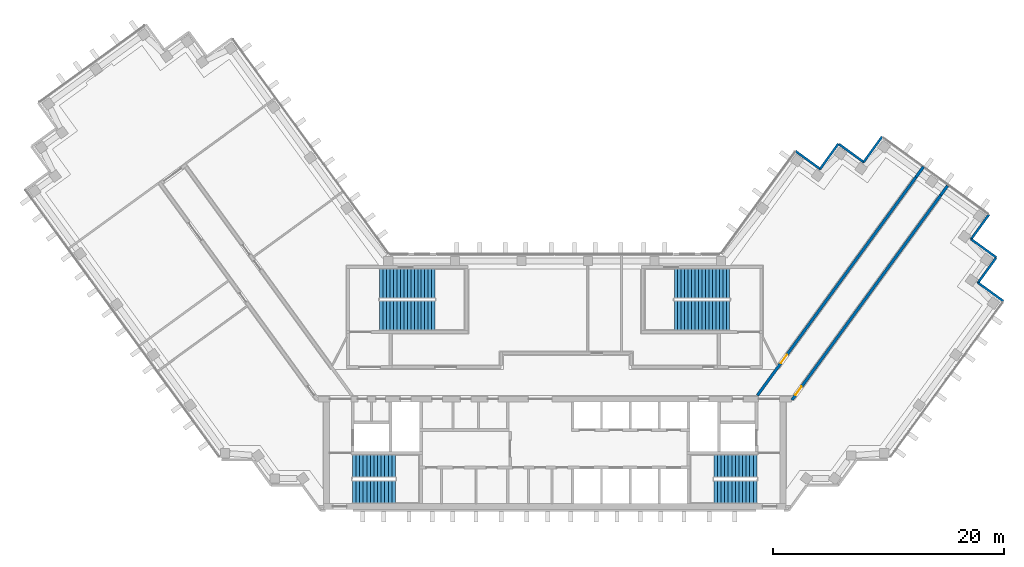
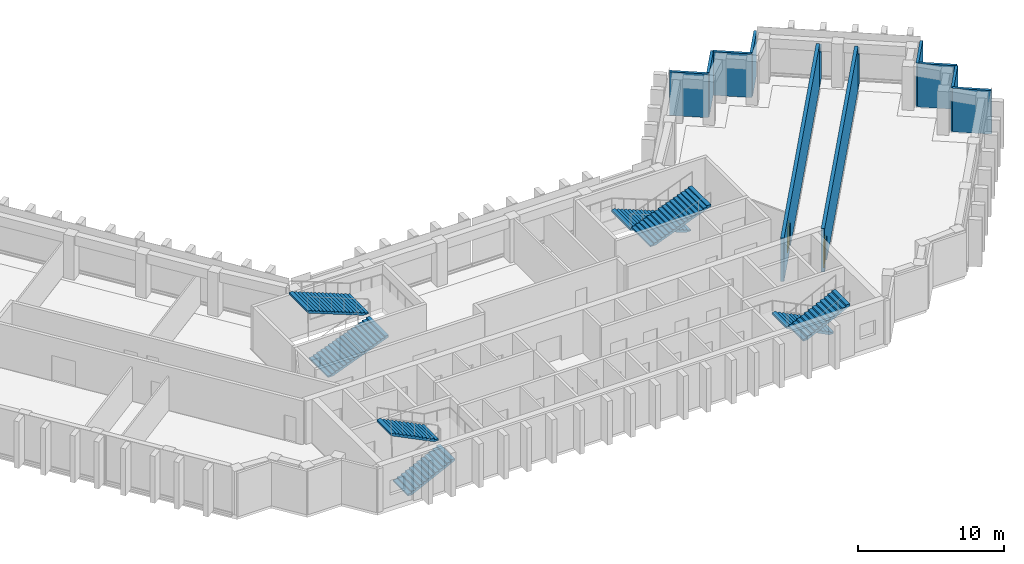
# One storey, part 7 of 9: 12 walls, 8 stair flights, 2 doors, 2 openings, 4 elements without a shape of their own.
"""IFC4 building model written with IfcOpenShell, lengths in metres."""

from ifc_helpers import new_model, si_unit, direction, frame, frame_2d, origin, place, context, subcontext, project, spatial, polyline, rectangle, outline, extrude, material, layer, layer_set, type_object, element, fill, aggregate, save


model = new_model("IFC4")

# Units and contexts
model_context = context("Model", 3, precision=1e-05, world=origin(), true_north=direction((0.0, 1.0)))
body_context = subcontext(model_context, "Body", "Model", "MODEL_VIEW")
ifc_project = project(units=[si_unit("LENGTHUNIT", "METRE"), si_unit("AREAUNIT", "SQUARE_METRE"), si_unit("VOLUMEUNIT", "CUBIC_METRE"), si_unit("PLANEANGLEUNIT", "RADIAN"), si_unit("MASSUNIT", "GRAM", prefix="KILO")], contexts=[model_context])

# Site, building, storey
site_placement = place(None, origin())
site = spatial("IfcSite", under=ifc_project, at=site_placement, CompositionType="ELEMENT")
building_placement = place(site_placement, origin())
building = spatial("IfcBuilding", under=site, at=building_placement, Name="Quipu Civic Tower", CompositionType="ELEMENT")
storey_placement = place(building_placement, frame((0.0, 0.0, 218.0)))
storey = spatial("IfcBuildingStorey", under=building, at=storey_placement, Name="L51", CompositionType="ELEMENT", Elevation=218.0)

# Wall, opening, door
ifc_material_1 = material(Name="Concrete C50/60", Category="concrete")
ifc_layer = layer(ifc_material_1, 0.25)
ifc_layer_set = layer_set([ifc_layer], Name="Concrete C50/60")
wall_type_1 = type_object("IfcWallType", Name="Corridor wall 250 concrete", PredefinedType="SOLIDWALL", material=ifc_layer_set)
wall_1_placement = place(storey_placement, frame((17.544921875, -1.124755859375, 0.0), z_axis=(0.0, 0.0, 1.0), x_axis=(0.587787966774, 0.809015022181, 0.0)))
wall_1 = element("IfcWall", 1, at=wall_1_placement, inside=storey, type_object=wall_type_1, Name="Corridor wall C02", PredefinedType="SOLIDWALL", context=body_context, shape_type="SweptSolid", body=[
    extrude(rectangle(XDim=23.344970703125, YDim=0.25, at=frame_2d((11.67236328125, 0.0))), origin(), (0.0, 0.0, 1.0), 3.64990234375),
])
opening_1_placement = place(wall_1_placement, frame((3.44140625, 0.0, 0.0)))
opening_1 = element("IfcOpeningElement", 2, at=opening_1_placement, cuts=wall_1, Name="Opening D001", PredefinedType="OPENING", context=body_context, shape_type="SweptSolid", body=[
    extrude(rectangle(XDim=0.89990234375, YDim=2.10009765625, at=frame_2d((0.449951171875, 1.050048828125))), frame((0.0, 0.135009765625, 0.0), z_axis=(0.0, -1.0, 0.0), x_axis=(1.0, 0.0, 0.0)), (0.0, 0.0, 1.0), 0.27001953125),
])
ifc_material_2 = material(Name="Fire rated timber door set with metal frame", Category="wood")
door_type = type_object("IfcDoorType", Name="Single door 900 x 2100 FD60", OperationType="NOTDEFINED", PredefinedType="DOOR", material=ifc_material_2)
door_1_placement = place(opening_1_placement, origin())
door_1 = element("IfcDoor", 3, at=door_1_placement, inside=storey, type_object=door_type, Name="Door D001", OperationType="SINGLE_SWING_LEFT", OverallHeight=2.10009765625, OverallWidth=0.89990234375, PredefinedType="DOOR", context=body_context, shape_type="SweptSolid", body=[
    extrude(rectangle(XDim=0.89990234375, YDim=2.10009765625, at=frame_2d((0.449951171875, 1.050048828125))), frame((0.0, 0.02490234375, 0.0), z_axis=(0.0, -1.0, 0.0), x_axis=(1.0, 0.0, 0.0)), (0.0, 0.0, 1.0), 0.050048828125),
])
fill(opening_1, door_1)

wall_2_placement = place(storey_placement, frame((33.41015625, 16.203125, 0.0), z_axis=(0.0, 0.0, 1.0), x_axis=(-0.587786711753, -0.809015934013, 0.0)))
wall_2 = element("IfcWall", 4, at=wall_2_placement, inside=storey, type_object=wall_type_1, Name="Corridor wall C03", PredefinedType="SOLIDWALL", context=body_context, shape_type="SweptSolid", body=[
    extrude(rectangle(XDim=21.911376953125, YDim=0.25, at=frame_2d((10.95556640625, 0.0))), origin(), (0.0, 0.0, 1.0), 3.64990234375),
])
opening_2_placement = place(wall_2_placement, frame((20.478515625, 0.0, 0.0)))
opening_2 = element("IfcOpeningElement", 5, at=opening_2_placement, cuts=wall_2, Name="Opening D002", PredefinedType="OPENING", context=body_context, shape_type="SweptSolid", body=[
    extrude(rectangle(XDim=0.89990234375, YDim=2.10009765625, at=frame_2d((0.449951171875, 1.050048828125))), frame((0.0, 0.135009765625, 0.0), z_axis=(0.0, -1.0, 0.0), x_axis=(1.0, 0.0, 0.0)), (0.0, 0.0, 1.0), 0.27001953125),
])
door_2_placement = place(opening_2_placement, origin())
door_2 = element("IfcDoor", 6, at=door_2_placement, inside=storey, type_object=door_type, Name="Door D002", OperationType="SINGLE_SWING_RIGHT", OverallHeight=2.10009765625, OverallWidth=0.89990234375, PredefinedType="DOOR", context=body_context, shape_type="SweptSolid", body=[
    extrude(rectangle(XDim=0.89990234375, YDim=2.10009765625, at=frame_2d((0.449951171875, 1.050048828125))), frame((0.0, 0.02490234375, 0.0), z_axis=(0.0, -1.0, 0.0), x_axis=(1.0, 0.0, 0.0)), (0.0, 0.0, 1.0), 0.050048828125),
])
fill(opening_2, door_2)

# Walls
wall_3_placement = place(storey_placement, frame((31.266845703125, 17.76171875, 0.0), z_axis=(0.0, 0.0, 1.0), x_axis=(0.587778942742, 0.809021578494, 0.0)))
element("IfcWall", 7, at=wall_3_placement, inside=storey, type_object=wall_type_1, Name="Corridor wall C02", PredefinedType="SOLIDWALL", context=body_context, shape_type="SweptSolid", body=[
    extrude(rectangle(XDim=1.109130859375, YDim=0.25, at=frame_2d((0.5546875, 0.0))), origin(), (0.0, 0.0, 1.0), 2.85009765625),
])
wall_4_placement = place(storey_placement, frame((33.41015625, 16.203125, 0.0), z_axis=(0.0, 0.0, 1.0), x_axis=(0.587696850957, 0.809081214326, 0.0)))
element("IfcWall", 8, at=wall_4_placement, inside=storey, type_object=wall_type_1, Name="Corridor wall C03", PredefinedType="SOLIDWALL", context=body_context, shape_type="SweptSolid", body=[
    extrude(rectangle(XDim=1.009033203125, YDim=0.25, at=frame_2d((0.50439453125, 0.0))), origin(), (0.0, 0.0, 1.0), 2.85009765625),
])
ifc_material_3 = material(Name="Precast concrete C40/50", Category="concrete")
wall_type_2 = type_object("IfcWallType", Name="Precast cladding wall", PredefinedType="SOLIDWALL", material=ifc_material_3)
for number, where, z_axis, x_axis, name in (
    (9, (38.82861328125, 7.031005859375, 0.0), (0.0, 0.0, 1.0), (-0.808990163075, 0.587822180636, 0.0), "Precast cladding wall L51 P05"),
    (10, (36.60205078125, 8.580322265625, 0.0), (0.0, 0.0, 1.0), (0.587822180636, 0.808990163075, 0.0), "Precast cladding wall L51 P06"),
    (11, (38.231201171875, 10.80224609375, 0.0), (0.0, 0.0, 1.0), (-0.808958916286, 0.58786518162, 0.0), "Precast cladding wall L51 P07"),
    (12, (36.0048828125, 12.3515625, 0.0), (0.0, 0.0, 1.0), (0.587762999008, 0.809033161865, 0.0), "Precast cladding wall L51 20"),
    (13, (28.333984375, 21.26220703125, 0.0), (0.0, 0.0, 1.0), (-0.587762999008, -0.809033161865, 0.0), "Precast cladding wall L51 22"),
):
    element("IfcWall", number, at=place(storey_placement, frame(where, z_axis=z_axis, x_axis=x_axis)), inside=storey, type_object=wall_type_2, Name=name, PredefinedType="SOLIDWALL", context=body_context, shape_type="SweptSolid", body=[
        extrude(rectangle(XDim=2.699951171875, YDim=0.199951171875, at=frame_2d((1.35009765625, 0.0))), origin(), (0.0, 0.0, 1.0), 3.64990234375),
    ])
wall_5_placement = place(storey_placement, frame((26.78466796875, 19.03564453125, 0.0), z_axis=(0.0, 0.0, 1.0), x_axis=(-0.809064397168, 0.587720002413, 0.0)))
element("IfcWall", 14, at=wall_5_placement, inside=storey, type_object=wall_type_2, Name="Precast cladding wall L51 23", PredefinedType="SOLIDWALL", context=body_context, shape_type="SweptSolid", body=[
    extrude(rectangle(XDim=2.7001953125, YDim=0.199951171875, at=frame_2d((1.35009765625, 0.0))), origin(), (0.0, 0.0, 1.0), 3.64990234375),
])
for number, where, z_axis, x_axis, name in (
    (15, (24.562744140625, 20.664794921875, 0.0), (0.0, 0.0, 1.0), (-0.587822180636, -0.808990163075, 0.0), "Precast cladding wall L51 24"),
    (16, (23.01318359375, 18.438232421875, 0.0), (0.0, 0.0, 1.0), (-0.808990163075, 0.587822180636, 0.0), "Precast cladding wall L51 25"),
):
    element("IfcWall", number, at=place(storey_placement, frame(where, z_axis=z_axis, x_axis=x_axis)), inside=storey, type_object=wall_type_2, Name=name, PredefinedType="SOLIDWALL", context=body_context, shape_type="SweptSolid", body=[
        extrude(rectangle(XDim=2.699951171875, YDim=0.199951171875, at=frame_2d((1.35009765625, 0.0))), origin(), (0.0, 0.0, 1.0), 3.64990234375),
    ])

# Stair, stair flights
ifc_material_4 = material(Name="Concrete C40/50", Category="concrete")
stair_type_1 = type_object("IfcStairType", Name="Half turn stair 2000", PredefinedType="HALF_TURN_STAIR", material=ifc_material_4)
stair_1_placement = place(storey_placement, origin())
stair_1 = element("IfcStair", 17, at=stair_1_placement, inside=storey, type_object=stair_type_1, Name="Exit stair 1", PredefinedType="HALF_TURN_STAIR")
ifc_material_5 = material(Name="Concrete C40/50", Category="concrete")
stair_flight_type_1 = type_object("IfcStairFlightType", Name="Stair flight 2000", PredefinedType="STRAIGHT", material=ifc_material_5)
stair_flight_1_placement = place(storey_placement, frame((-17.5, -9.5, 0.0), z_axis=(0.0, 0.0, 1.0), x_axis=(1.0, 0.0, 0.0)))
stair_flight_1 = element("IfcStairFlight", 18, at=stair_flight_1_placement, type_object=stair_flight_type_1, Name="ST-1 flight 1", NumberOfRisers=13, NumberOfTreads=12, PredefinedType="STRAIGHT", RiserHeight=0.153846154, TreadLength=0.31, context=body_context, shape_type="SweptSolid", body=[
    extrude(outline(polyline([(0.0, 0.0), (0.0, 0.15380859375), (0.31005859375, 0.15380859375), (0.31005859375, 0.3076171875), (0.6201171875, 0.3076171875), (0.6201171875, 0.46142578125), (0.929931640625, 0.46142578125), (0.929931640625, 0.615478515625), (1.239990234375, 0.615478515625), (1.239990234375, 0.769287109375), (1.550048828125, 0.769287109375), (1.550048828125, 0.923095703125), (1.860107421875, 0.923095703125), (1.860107421875, 1.076904296875), (2.169921875, 1.076904296875), (2.169921875, 1.230712890625), (2.47998046875, 1.230712890625), (2.47998046875, 1.384521484375), (2.7900390625, 1.384521484375), (2.7900390625, 1.53857421875), (3.10009765625, 1.53857421875), (3.10009765625, 1.6923828125), (3.409912109375, 1.6923828125), (3.409912109375, 1.84619140625), (3.719970703125, 1.84619140625), (3.719970703125, 2.0), (3.719970703125, 1.6787109375), (0.337158203125, 0.0), (0.0, 0.0)])), frame((0.0, 1.0, 0.0), z_axis=(0.0, -1.0, 0.0), x_axis=(1.0, 0.0, 0.0)), (0.0, 0.0, 1.0), 2.0),
])
stair_flight_2_placement = place(storey_placement, frame((-13.780029296875, -7.25, 2.0), z_axis=(0.0, 0.0, 1.0), x_axis=(-1.0, 0.0, 0.0)))
stair_flight_2 = element("IfcStairFlight", 19, at=stair_flight_2_placement, type_object=stair_flight_type_1, Name="ST-1 flight 2", NumberOfRisers=13, NumberOfTreads=12, PredefinedType="STRAIGHT", RiserHeight=0.153846154, TreadLength=0.31, context=body_context, shape_type="SweptSolid", body=[
    extrude(outline(polyline([(0.0, 0.0), (0.0, 0.15380859375), (0.31005859375, 0.15380859375), (0.31005859375, 0.3076171875), (0.6201171875, 0.3076171875), (0.6201171875, 0.46142578125), (0.929931640625, 0.46142578125), (0.929931640625, 0.615478515625), (1.239990234375, 0.615478515625), (1.239990234375, 0.769287109375), (1.550048828125, 0.769287109375), (1.550048828125, 0.923095703125), (1.860107421875, 0.923095703125), (1.860107421875, 1.076904296875), (2.169921875, 1.076904296875), (2.169921875, 1.230712890625), (2.47998046875, 1.230712890625), (2.47998046875, 1.384521484375), (2.7900390625, 1.384521484375), (2.7900390625, 1.53857421875), (3.10009765625, 1.53857421875), (3.10009765625, 1.6923828125), (3.409912109375, 1.6923828125), (3.409912109375, 1.84619140625), (3.719970703125, 1.84619140625), (3.719970703125, 2.0), (3.719970703125, 1.6787109375), (0.337158203125, 0.0), (0.0, 0.0)])), frame((0.0, 1.0, 0.0), z_axis=(0.0, -1.0, 0.0), x_axis=(1.0, 0.0, 0.0)), (0.0, 0.0, 1.0), 2.0),
])
aggregate(stair_1, [stair_flight_1, stair_flight_2])

stair_2_placement = place(storey_placement, origin())
stair_2 = element("IfcStair", 20, at=stair_2_placement, inside=storey, type_object=stair_type_1, Name="Exit stair 2", PredefinedType="HALF_TURN_STAIR")
stair_flight_3_placement = place(storey_placement, frame((17.5, -7.25, 0.0), z_axis=(0.0, 0.0, 1.0), x_axis=(-1.0, 0.0, 0.0)))
stair_flight_3 = element("IfcStairFlight", 21, at=stair_flight_3_placement, type_object=stair_flight_type_1, Name="ST-2 flight 1", NumberOfRisers=13, NumberOfTreads=12, PredefinedType="STRAIGHT", RiserHeight=0.153846154, TreadLength=0.31, context=body_context, shape_type="SweptSolid", body=[
    extrude(outline(polyline([(0.0, 0.0), (0.0, 0.15380859375), (0.31005859375, 0.15380859375), (0.31005859375, 0.3076171875), (0.6201171875, 0.3076171875), (0.6201171875, 0.46142578125), (0.929931640625, 0.46142578125), (0.929931640625, 0.615478515625), (1.239990234375, 0.615478515625), (1.239990234375, 0.769287109375), (1.550048828125, 0.769287109375), (1.550048828125, 0.923095703125), (1.860107421875, 0.923095703125), (1.860107421875, 1.076904296875), (2.169921875, 1.076904296875), (2.169921875, 1.230712890625), (2.47998046875, 1.230712890625), (2.47998046875, 1.384521484375), (2.7900390625, 1.384521484375), (2.7900390625, 1.53857421875), (3.10009765625, 1.53857421875), (3.10009765625, 1.6923828125), (3.409912109375, 1.6923828125), (3.409912109375, 1.84619140625), (3.719970703125, 1.84619140625), (3.719970703125, 2.0), (3.719970703125, 1.6787109375), (0.337158203125, 0.0), (0.0, 0.0)])), frame((0.0, 1.0, 0.0), z_axis=(0.0, -1.0, 0.0), x_axis=(1.0, 0.0, 0.0)), (0.0, 0.0, 1.0), 2.0),
])
stair_flight_4_placement = place(storey_placement, frame((13.780029296875, -9.5, 2.0), z_axis=(0.0, 0.0, 1.0), x_axis=(1.0, 0.0, 0.0)))
stair_flight_4 = element("IfcStairFlight", 22, at=stair_flight_4_placement, type_object=stair_flight_type_1, Name="ST-2 flight 2", NumberOfRisers=13, NumberOfTreads=12, PredefinedType="STRAIGHT", RiserHeight=0.153846154, TreadLength=0.31, context=body_context, shape_type="SweptSolid", body=[
    extrude(outline(polyline([(0.0, 0.0), (0.0, 0.15380859375), (0.31005859375, 0.15380859375), (0.31005859375, 0.3076171875), (0.6201171875, 0.3076171875), (0.6201171875, 0.46142578125), (0.929931640625, 0.46142578125), (0.929931640625, 0.615478515625), (1.239990234375, 0.615478515625), (1.239990234375, 0.769287109375), (1.550048828125, 0.769287109375), (1.550048828125, 0.923095703125), (1.860107421875, 0.923095703125), (1.860107421875, 1.076904296875), (2.169921875, 1.076904296875), (2.169921875, 1.230712890625), (2.47998046875, 1.230712890625), (2.47998046875, 1.384521484375), (2.7900390625, 1.384521484375), (2.7900390625, 1.53857421875), (3.10009765625, 1.53857421875), (3.10009765625, 1.6923828125), (3.409912109375, 1.6923828125), (3.409912109375, 1.84619140625), (3.719970703125, 1.84619140625), (3.719970703125, 2.0), (3.719970703125, 1.6787109375), (0.337158203125, 0.0), (0.0, 0.0)])), frame((0.0, 1.0, 0.0), z_axis=(0.0, -1.0, 0.0), x_axis=(1.0, 0.0, 0.0)), (0.0, 0.0, 1.0), 2.0),
])
aggregate(stair_2, [stair_flight_3, stair_flight_4])

ifc_material_6 = material(Name="Concrete C40/50", Category="concrete")
stair_type_2 = type_object("IfcStairType", Name="Half turn stair 2600", PredefinedType="HALF_TURN_STAIR", material=ifc_material_6)
stair_3_placement = place(storey_placement, origin())
stair_3 = element("IfcStair", 23, at=stair_3_placement, inside=storey, type_object=stair_type_2, Name="Exit stair 3", PredefinedType="HALF_TURN_STAIR")
ifc_material_7 = material(Name="Concrete C40/50", Category="concrete")
stair_flight_type_2 = type_object("IfcStairFlightType", Name="Stair flight 2600", PredefinedType="STRAIGHT", material=ifc_material_7)
stair_flight_5_placement = place(storey_placement, frame((-15.14990234375, 5.800048828125, 0.0), z_axis=(0.0, 0.0, 1.0), x_axis=(1.0, 0.0, 0.0)))
stair_flight_5 = element("IfcStairFlight", 24, at=stair_flight_5_placement, type_object=stair_flight_type_2, Name="ST-3 flight 1", NumberOfRisers=17, NumberOfTreads=16, PredefinedType="STRAIGHT", RiserHeight=0.117647059, TreadLength=0.3, context=body_context, shape_type="SweptSolid", body=[
    extrude(outline(polyline([(0.0, 0.0), (0.0, 0.11767578125), (0.300048828125, 0.11767578125), (0.300048828125, 0.2353515625), (0.60009765625, 0.2353515625), (0.60009765625, 0.35302734375), (0.89990234375, 0.35302734375), (0.89990234375, 0.470703125), (1.199951171875, 0.470703125), (1.199951171875, 0.588134765625), (1.5, 0.588134765625), (1.5, 0.705810546875), (1.800048828125, 0.705810546875), (1.800048828125, 0.823486328125), (2.10009765625, 0.823486328125), (2.10009765625, 0.941162109375), (2.39990234375, 0.941162109375), (2.39990234375, 1.058837890625), (2.699951171875, 1.058837890625), (2.699951171875, 1.176513671875), (3.0, 1.176513671875), (3.0, 1.294189453125), (3.300048828125, 1.294189453125), (3.300048828125, 1.411865234375), (3.60009765625, 1.411865234375), (3.60009765625, 1.529296875), (3.89990234375, 1.529296875), (3.89990234375, 1.64697265625), (4.199951171875, 1.64697265625), (4.199951171875, 1.7646484375), (4.5, 1.7646484375), (4.5, 1.88232421875), (4.800048828125, 1.88232421875), (4.800048828125, 2.0), (4.800048828125, 1.721435546875), (0.41064453125, 0.0), (0.0, 0.0)])), frame((0.0, 1.300048828125, 0.0), z_axis=(0.0, -1.0, 0.0), x_axis=(1.0, 0.0, 0.0)), (0.0, 0.0, 1.0), 2.60009765625),
])
stair_flight_6_placement = place(storey_placement, frame((-10.35009765625, 8.550048828125, 2.0), z_axis=(0.0, 0.0, 1.0), x_axis=(-1.0, 0.0, 0.0)))
stair_flight_6 = element("IfcStairFlight", 25, at=stair_flight_6_placement, type_object=stair_flight_type_2, Name="ST-3 flight 2", NumberOfRisers=17, NumberOfTreads=16, PredefinedType="STRAIGHT", RiserHeight=0.117647059, TreadLength=0.3, context=body_context, shape_type="SweptSolid", body=[
    extrude(outline(polyline([(0.0, 0.0), (0.0, 0.11767578125), (0.300048828125, 0.11767578125), (0.300048828125, 0.2353515625), (0.60009765625, 0.2353515625), (0.60009765625, 0.35302734375), (0.89990234375, 0.35302734375), (0.89990234375, 0.470703125), (1.199951171875, 0.470703125), (1.199951171875, 0.588134765625), (1.5, 0.588134765625), (1.5, 0.705810546875), (1.800048828125, 0.705810546875), (1.800048828125, 0.823486328125), (2.10009765625, 0.823486328125), (2.10009765625, 0.941162109375), (2.39990234375, 0.941162109375), (2.39990234375, 1.058837890625), (2.699951171875, 1.058837890625), (2.699951171875, 1.176513671875), (3.0, 1.176513671875), (3.0, 1.294189453125), (3.300048828125, 1.294189453125), (3.300048828125, 1.411865234375), (3.60009765625, 1.411865234375), (3.60009765625, 1.529296875), (3.89990234375, 1.529296875), (3.89990234375, 1.64697265625), (4.199951171875, 1.64697265625), (4.199951171875, 1.7646484375), (4.5, 1.7646484375), (4.5, 1.88232421875), (4.800048828125, 1.88232421875), (4.800048828125, 2.0), (4.800048828125, 1.721435546875), (0.41064453125, 0.0), (0.0, 0.0)])), frame((0.0, 1.300048828125, 0.0), z_axis=(0.0, -1.0, 0.0), x_axis=(1.0, 0.0, 0.0)), (0.0, 0.0, 1.0), 2.60009765625),
])
aggregate(stair_3, [stair_flight_5, stair_flight_6])

stair_4_placement = place(storey_placement, origin())
stair_4 = element("IfcStair", 26, at=stair_4_placement, inside=storey, type_object=stair_type_2, Name="Exit stair 4", PredefinedType="HALF_TURN_STAIR")
stair_flight_7_placement = place(storey_placement, frame((15.14990234375, 8.550048828125, 0.0), z_axis=(0.0, 0.0, 1.0), x_axis=(-1.0, 0.0, 0.0)))
stair_flight_7 = element("IfcStairFlight", 27, at=stair_flight_7_placement, type_object=stair_flight_type_2, Name="ST-4 flight 1", NumberOfRisers=17, NumberOfTreads=16, PredefinedType="STRAIGHT", RiserHeight=0.117647059, TreadLength=0.3, context=body_context, shape_type="SweptSolid", body=[
    extrude(outline(polyline([(0.0, 0.0), (0.0, 0.11767578125), (0.300048828125, 0.11767578125), (0.300048828125, 0.2353515625), (0.60009765625, 0.2353515625), (0.60009765625, 0.35302734375), (0.89990234375, 0.35302734375), (0.89990234375, 0.470703125), (1.199951171875, 0.470703125), (1.199951171875, 0.588134765625), (1.5, 0.588134765625), (1.5, 0.705810546875), (1.800048828125, 0.705810546875), (1.800048828125, 0.823486328125), (2.10009765625, 0.823486328125), (2.10009765625, 0.941162109375), (2.39990234375, 0.941162109375), (2.39990234375, 1.058837890625), (2.699951171875, 1.058837890625), (2.699951171875, 1.176513671875), (3.0, 1.176513671875), (3.0, 1.294189453125), (3.300048828125, 1.294189453125), (3.300048828125, 1.411865234375), (3.60009765625, 1.411865234375), (3.60009765625, 1.529296875), (3.89990234375, 1.529296875), (3.89990234375, 1.64697265625), (4.199951171875, 1.64697265625), (4.199951171875, 1.7646484375), (4.5, 1.7646484375), (4.5, 1.88232421875), (4.800048828125, 1.88232421875), (4.800048828125, 2.0), (4.800048828125, 1.721435546875), (0.41064453125, 0.0), (0.0, 0.0)])), frame((0.0, 1.300048828125, 0.0), z_axis=(0.0, -1.0, 0.0), x_axis=(1.0, 0.0, 0.0)), (0.0, 0.0, 1.0), 2.60009765625),
])
stair_flight_8_placement = place(storey_placement, frame((10.35009765625, 5.800048828125, 2.0), z_axis=(0.0, 0.0, 1.0), x_axis=(1.0, 0.0, 0.0)))
stair_flight_8 = element("IfcStairFlight", 28, at=stair_flight_8_placement, type_object=stair_flight_type_2, Name="ST-4 flight 2", NumberOfRisers=17, NumberOfTreads=16, PredefinedType="STRAIGHT", RiserHeight=0.117647059, TreadLength=0.3, context=body_context, shape_type="SweptSolid", body=[
    extrude(outline(polyline([(0.0, 0.0), (0.0, 0.11767578125), (0.300048828125, 0.11767578125), (0.300048828125, 0.2353515625), (0.60009765625, 0.2353515625), (0.60009765625, 0.35302734375), (0.89990234375, 0.35302734375), (0.89990234375, 0.470703125), (1.199951171875, 0.470703125), (1.199951171875, 0.588134765625), (1.5, 0.588134765625), (1.5, 0.705810546875), (1.800048828125, 0.705810546875), (1.800048828125, 0.823486328125), (2.10009765625, 0.823486328125), (2.10009765625, 0.941162109375), (2.39990234375, 0.941162109375), (2.39990234375, 1.058837890625), (2.699951171875, 1.058837890625), (2.699951171875, 1.176513671875), (3.0, 1.176513671875), (3.0, 1.294189453125), (3.300048828125, 1.294189453125), (3.300048828125, 1.411865234375), (3.60009765625, 1.411865234375), (3.60009765625, 1.529296875), (3.89990234375, 1.529296875), (3.89990234375, 1.64697265625), (4.199951171875, 1.64697265625), (4.199951171875, 1.7646484375), (4.5, 1.7646484375), (4.5, 1.88232421875), (4.800048828125, 1.88232421875), (4.800048828125, 2.0), (4.800048828125, 1.721435546875), (0.41064453125, 0.0), (0.0, 0.0)])), frame((0.0, 1.300048828125, 0.0), z_axis=(0.0, -1.0, 0.0), x_axis=(1.0, 0.0, 0.0)), (0.0, 0.0, 1.0), 2.60009765625),
])
aggregate(stair_4, [stair_flight_7, stair_flight_8])

save(model, "model.ifc")
